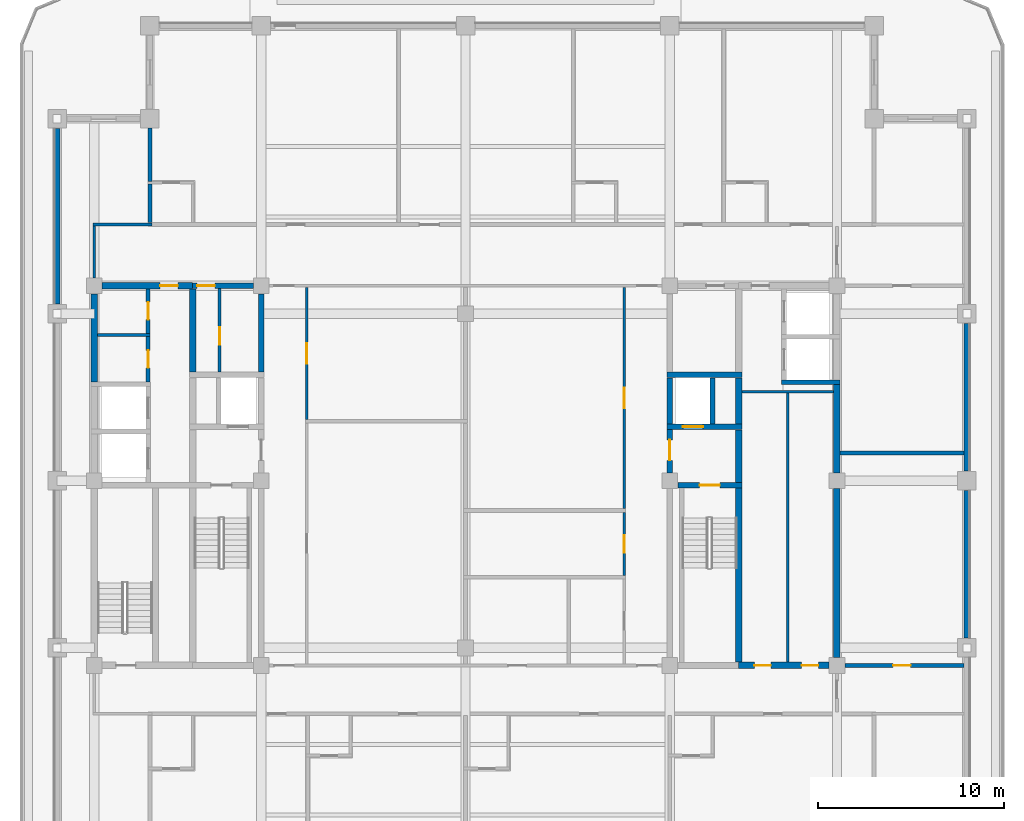
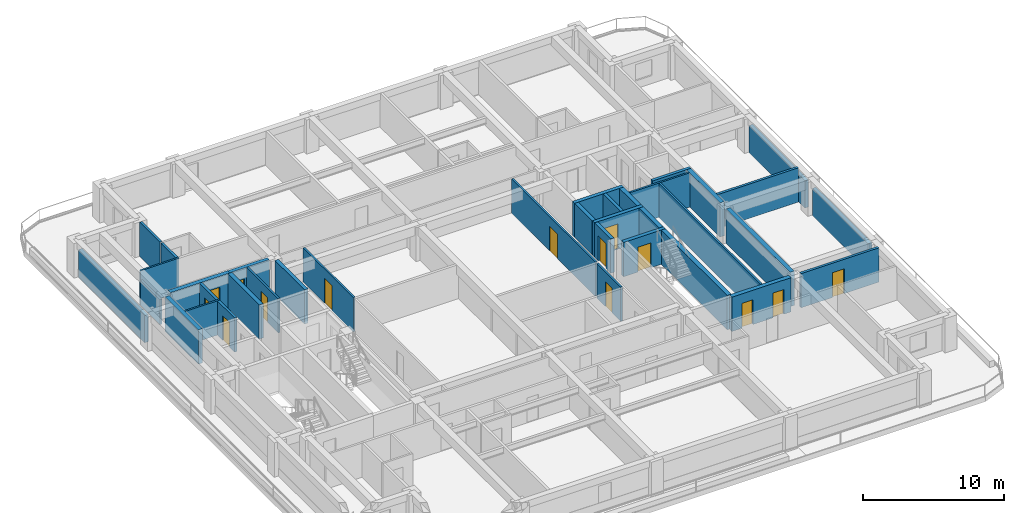
# One storey, part 4 of 13: 36 walls, 14 doors, 14 openings.
"""IFC4 building model written with IfcOpenShell, lengths in metres."""

from ifc_helpers import new_model, si_unit, direction, frame, frame_2d, origin, place, context, subcontext, project, spatial, rectangle, extrude, material, layer, layer_set, type_object, element, fill, save


model = new_model("IFC4")

# Units and contexts
model_context = context("Model", 3, precision=1e-05, world=origin(), true_north=direction((0.0, 1.0)))
body_context = subcontext(model_context, "Body", "Model", "MODEL_VIEW")
ifc_project = project(units=[si_unit("LENGTHUNIT", "METRE"), si_unit("AREAUNIT", "SQUARE_METRE"), si_unit("VOLUMEUNIT", "CUBIC_METRE"), si_unit("PLANEANGLEUNIT", "RADIAN"), si_unit("MASSUNIT", "GRAM", prefix="KILO")], contexts=[model_context])

# Site, building, storey
site_placement = place(None, origin())
site = spatial("IfcSite", under=ifc_project, at=site_placement, CompositionType="ELEMENT")
building_placement = place(site_placement, origin())
building = spatial("IfcBuilding", under=site, at=building_placement, Name="Zulmaris Gate Convention Tower", CompositionType="ELEMENT")
storey_placement = place(building_placement, frame((0.0, 0.0, 183.059814453125)))
storey = spatial("IfcBuildingStorey", under=building, at=storey_placement, Name="L47", CompositionType="ELEMENT", Elevation=183.059814453125)

# Walls
ifc_material_1 = material(Name="Concrete C50/60", Category="concrete")
ifc_layer_1 = layer(ifc_material_1, 0.25, Name="Concrete C50/60")
ifc_layer_set_1 = layer_set([ifc_layer_1], Name="Concrete C50/60")
wall_type_1 = type_object("IfcWallType", Name="CORE-250", PredefinedType="SOLIDWALL", material=ifc_layer_set_1)
wall_1_placement = place(storey_placement, frame((17.02490234375, 5.300048828125, 0.0), z_axis=(0.0, 0.0, 1.0), x_axis=(1.0, 0.0, 0.0)))
element("IfcWall", 1, at=wall_1_placement, inside=storey, type_object=wall_type_1, Name="WL-L47-011", PredefinedType="SOLIDWALL", context=body_context, shape_type="SweptSolid", body=[
    extrude(rectangle(XDim=3.150146484375, YDim=0.25, at=frame_2d((1.5751953125, 0.0))), origin(), (0.0, 0.0, 1.0), 2.97509765625),
])
wall_2_placement = place(storey_placement, frame((13.300048828125, 3.052001953125, 0.0), z_axis=(0.0, 0.0, 1.0), x_axis=(0.0, 1.0, 0.0)))
element("IfcWall", 2, at=wall_2_placement, inside=storey, type_object=wall_type_1, Name="WL-L47-064", PredefinedType="SOLIDWALL", context=body_context, shape_type="SweptSolid", body=[
    extrude(rectangle(XDim=2.49609375, YDim=0.25, at=frame_2d((1.248046875, 0.0))), origin(), (0.0, 0.0, 1.0), 2.97509765625),
])

# Wall, opening, door
ifc_layer_2 = layer(ifc_material_1, 0.300048828125, Name="Concrete C50/60")
ifc_layer_set_2 = layer_set([ifc_layer_2], Name="Concrete C50/60")
wall_type_2 = type_object("IfcWallType", Name="CORE-300", PredefinedType="SHEAR", material=ifc_layer_set_2)
wall_3_placement = place(storey_placement, frame((11.428955078125, -0.25, 0.0), z_axis=(0.0, 0.0, 1.0), x_axis=(1.0, 0.0, 0.0)))
wall_3 = element("IfcWall", 3, at=wall_3_placement, inside=storey, type_object=wall_type_2, Name="WL-L47-006", PredefinedType="SHEAR", context=body_context, shape_type="SweptSolid", body=[
    extrude(rectangle(XDim=3.446044921875, YDim=0.300048828125, at=frame_2d((1.72314453125, 0.0))), origin(), (0.0, 0.0, 1.0), 2.97509765625),
])
opening_1_placement = place(wall_3_placement, frame((1.1708984375, 0.0, 0.0)))
opening_1 = element("IfcOpeningElement", 4, at=opening_1_placement, cuts=wall_3, Name="Opening D-08", PredefinedType="OPENING", context=body_context, shape_type="SweptSolid", body=[
    extrude(rectangle(XDim=1.10009765625, YDim=2.14990234375, at=frame_2d((0.550048828125, 1.074951171875))), frame((0.0, 0.16015625, 0.0), z_axis=(0.0, -1.0, 0.0), x_axis=(1.0, 0.0, 0.0)), (0.0, 0.0, 1.0), 0.320068359375),
])
ifc_material_2 = material(Name="Fire-Rated Steel", Category="steel")
door_type_1 = type_object("IfcDoorType", Name="DR-1100-FD", OperationType="NOTDEFINED", PredefinedType="DOOR", material=ifc_material_2)
door_1_placement = place(opening_1_placement, origin())
door_1 = element("IfcDoor", 5, at=door_1_placement, inside=storey, type_object=door_type_1, Name="L47 Exit Stair ST-2 Door 04", OperationType="SINGLE_SWING_RIGHT", OverallHeight=2.14990234375, OverallWidth=1.10009765625, PredefinedType="DOOR", context=body_context, shape_type="SweptSolid", body=[
    extrude(rectangle(XDim=1.10009765625, YDim=2.14990234375, at=frame_2d((0.550048828125, 1.074951171875))), frame((0.0, 0.02490234375, 0.0), z_axis=(0.0, -1.0, 0.0), x_axis=(1.0, 0.0, 0.0)), (0.0, 0.0, 1.0), 0.050048828125),
])
fill(opening_1, door_1)

wall_4_placement = place(storey_placement, frame((10.85009765625, 2.89990234375, 0.0), z_axis=(0.0, 0.0, 1.0), x_axis=(1.0, 0.0, 0.0)))
wall_4 = element("IfcWall", 6, at=wall_4_placement, inside=storey, type_object=wall_type_2, Name="WL-L47-009", PredefinedType="SHEAR", context=body_context, shape_type="SweptSolid", body=[
    extrude(rectangle(XDim=4.02490234375, YDim=0.300048828125, at=frame_2d((2.012451171875, 0.0))), origin(), (0.0, 0.0, 1.0), 2.97509765625),
])
opening_2_placement = place(wall_4_placement, frame((0.85009765625, 0.0, 0.0)))
opening_2 = element("IfcOpeningElement", 7, at=opening_2_placement, cuts=wall_4, Name="Opening D-06", PredefinedType="OPENING", context=body_context, shape_type="SweptSolid", body=[
    extrude(rectangle(XDim=1.10009765625, YDim=2.199951171875, at=frame_2d((0.550048828125, 1.10009765625))), frame((0.0, 0.16015625, 0.0), z_axis=(0.0, -1.0, 0.0), x_axis=(1.0, 0.0, 0.0)), (0.0, 0.0, 1.0), 0.320068359375),
])
ifc_material_3 = material(Name="Brushed Stainless Steel", Category="steel")
door_type_2 = type_object("IfcDoorType", Name="LD-1100", OperationType="NOTDEFINED", PredefinedType="DOOR", material=ifc_material_3)
door_2_placement = place(opening_2_placement, origin())
door_2 = element("IfcDoor", 8, at=door_2_placement, inside=storey, type_object=door_type_2, Name="L47 Lift Landing Door LF-02 06", OperationType="SLIDING_TO_RIGHT", OverallHeight=2.199951171875, OverallWidth=1.10009765625, PredefinedType="DOOR", context=body_context, shape_type="SweptSolid", body=[
    extrude(rectangle(XDim=1.10009765625, YDim=2.199951171875, at=frame_2d((0.550048828125, 1.10009765625))), frame((0.0, 0.02490234375, 0.0), z_axis=(0.0, -1.0, 0.0), x_axis=(1.0, 0.0, 0.0)), (0.0, 0.0, 1.0), 0.050048828125),
])
fill(opening_2, door_2)

# Wall
wall_5_placement = place(storey_placement, frame((10.85009765625, 5.699951171875, 0.0), z_axis=(0.0, 0.0, 1.0), x_axis=(1.0, 0.0, 0.0)))
element("IfcWall", 9, at=wall_5_placement, inside=storey, type_object=wall_type_2, Name="WL-L47-013", PredefinedType="SHEAR", context=body_context, shape_type="SweptSolid", body=[
    extrude(rectangle(XDim=4.02490234375, YDim=0.300048828125, at=frame_2d((2.012451171875, 0.0))), origin(), (0.0, 0.0, 1.0), 2.97509765625),
])

# Wall, opening, door
wall_6_placement = place(storey_placement, frame((-14.699951171875, 10.5, 0.0), z_axis=(0.0, 0.0, 1.0), x_axis=(1.0, 0.0, 0.0)))
wall_6 = element("IfcWall", 10, at=wall_6_placement, inside=storey, type_object=wall_type_2, Name="WL-L47-016", PredefinedType="SHEAR", context=body_context, shape_type="SweptSolid", body=[
    extrude(rectangle(XDim=3.27099609375, YDim=0.300048828125, at=frame_2d((1.635498046875, 0.0))), origin(), (0.0, 0.0, 1.0), 2.97509765625),
])
opening_3_placement = place(wall_6_placement, frame((0.2451171875, 0.0, 0.0)))
opening_3 = element("IfcOpeningElement", 11, at=opening_3_placement, cuts=wall_6, Name="Opening D-25", PredefinedType="OPENING", context=body_context, shape_type="SweptSolid", body=[
    extrude(rectangle(XDim=0.949951171875, YDim=2.02001953125, at=frame_2d((0.47509765625, 1.010009765625))), frame((0.0, 0.16015625, 0.0), z_axis=(0.0, -1.0, 0.0), x_axis=(1.0, 0.0, 0.0)), (0.0, 0.0, 1.0), 0.320068359375),
])
door_type_3 = type_object("IfcDoorType", Name="DR-950-LOW-FD", OperationType="NOTDEFINED", PredefinedType="DOOR", material=ifc_material_2)
door_3_placement = place(opening_3_placement, origin())
door_3 = element("IfcDoor", 12, at=door_3_placement, inside=storey, type_object=door_type_3, Name="L47 Core Mail Room Door 07", OperationType="SINGLE_SWING_RIGHT", OverallHeight=2.02001953125, OverallWidth=0.949951171875, PredefinedType="DOOR", context=body_context, shape_type="SweptSolid", body=[
    extrude(rectangle(XDim=0.949951171875, YDim=2.02001953125, at=frame_2d((0.47509765625, 1.010009765625))), frame((0.0, 0.02490234375, 0.0), z_axis=(0.0, -1.0, 0.0), x_axis=(1.0, 0.0, 0.0)), (0.0, 0.0, 1.0), 0.050048828125),
])
fill(opening_3, door_3)

# Wall
wall_7_placement = place(storey_placement, frame((-11.0, 5.85205078125, 0.0), z_axis=(0.0, 0.0, 1.0), x_axis=(0.0, 1.0, 0.0)))
element("IfcWall", 13, at=wall_7_placement, inside=storey, type_object=wall_type_2, Name="WL-L47-058", PredefinedType="SHEAR", context=body_context, shape_type="SweptSolid", body=[
    extrude(rectangle(XDim=4.218994140625, YDim=0.300048828125, at=frame_2d((2.109375, 0.0))), origin(), (0.0, 0.0, 1.0), 2.97509765625),
])

# Wall, opening, door
wall_8_placement = place(storey_placement, frame((11.0, 0.428955078125, 0.0), z_axis=(0.0, 0.0, 1.0), x_axis=(0.0, 1.0, 0.0)))
wall_8 = element("IfcWall", 14, at=wall_8_placement, inside=storey, type_object=wall_type_2, Name="WL-L47-060", PredefinedType="SHEAR", context=body_context, shape_type="SweptSolid", body=[
    extrude(rectangle(XDim=2.319091796875, YDim=0.300048828125, at=frame_2d((1.15966796875, 0.0))), origin(), (0.0, 0.0, 1.0), 2.97509765625),
])
opening_4_placement = place(wall_8_placement, frame((0.6708984375, 0.0, 0.0)))
opening_4 = element("IfcOpeningElement", 15, at=opening_4_placement, cuts=wall_8, Name="Opening D-08", PredefinedType="OPENING", context=body_context, shape_type="SweptSolid", body=[
    extrude(rectangle(XDim=1.10009765625, YDim=2.14990234375, at=frame_2d((0.550048828125, 1.074951171875))), frame((0.0, 0.16015625, 0.0), z_axis=(0.0, -1.0, 0.0), x_axis=(1.0, 0.0, 0.0)), (0.0, 0.0, 1.0), 0.320068359375),
])
door_4_placement = place(opening_4_placement, origin())
door_4 = element("IfcDoor", 16, at=door_4_placement, inside=storey, type_object=door_type_1, Name="L47 East Firefighting Lobby Door 05", OperationType="SINGLE_SWING_LEFT", OverallHeight=2.14990234375, OverallWidth=1.10009765625, PredefinedType="DOOR", context=body_context, shape_type="SweptSolid", body=[
    extrude(rectangle(XDim=1.10009765625, YDim=2.14990234375, at=frame_2d((0.550048828125, 1.074951171875))), frame((0.0, 0.02490234375, 0.0), z_axis=(0.0, -1.0, 0.0), x_axis=(1.0, 0.0, 0.0)), (0.0, 0.0, 1.0), 0.050048828125),
])
fill(opening_4, door_4)

# Wall
wall_9_placement = place(storey_placement, frame((11.0, 3.052001953125, 0.0), z_axis=(0.0, 0.0, 1.0), x_axis=(0.0, 1.0, 0.0)))
element("IfcWall", 17, at=wall_9_placement, inside=storey, type_object=wall_type_2, Name="WL-L47-061", PredefinedType="SHEAR", context=body_context, shape_type="SweptSolid", body=[
    extrude(rectangle(XDim=2.49609375, YDim=0.300048828125, at=frame_2d((1.248046875, 0.0))), origin(), (0.0, 0.0, 1.0), 2.97509765625),
])

# Wall, openings, doors
ifc_material_4 = material(Name="Concrete C55/67", Category="concrete")
ifc_layer_3 = layer(ifc_material_4, 0.35009765625, Name="Concrete C55/67")
ifc_layer_set_3 = layer_set([ifc_layer_3], Name="Concrete C55/67")
wall_type_3 = type_object("IfcWallType", Name="CORE-350", PredefinedType="SHEAR", material=ifc_layer_set_3)
wall_10_placement = place(storey_placement, frame((14.699951171875, -9.949951171875, 0.0), z_axis=(0.0, 0.0, 1.0), x_axis=(1.0, 0.0, 0.0)))
wall_10 = element("IfcWall", 18, at=wall_10_placement, inside=storey, type_object=wall_type_3, Name="WL-L47-004", PredefinedType="SHEAR", context=body_context, shape_type="SweptSolid", body=[
    extrude(rectangle(XDim=4.87109375, YDim=0.35009765625, at=frame_2d((2.435546875, 0.0))), origin(), (0.0, 0.0, 1.0), 2.97509765625),
])
opening_5_placement = place(wall_10_placement, frame((0.85009765625, 0.0, 0.0)))
opening_5 = element("IfcOpeningElement", 19, at=opening_5_placement, cuts=wall_10, Name="Opening D-12", PredefinedType="OPENING", context=body_context, shape_type="SweptSolid", body=[
    extrude(rectangle(XDim=0.89990234375, YDim=2.14990234375, at=frame_2d((0.449951171875, 1.074951171875))), frame((0.0, 0.18505859375, 0.0), z_axis=(0.0, -1.0, 0.0), x_axis=(1.0, 0.0, 0.0)), (0.0, 0.0, 1.0), 0.3701171875),
])
opening_6_placement = place(wall_10_placement, frame((3.39990234375, 0.0, 0.0)))
opening_6 = element("IfcOpeningElement", 20, at=opening_6_placement, cuts=wall_10, Name="Opening D-12", PredefinedType="OPENING", context=body_context, shape_type="SweptSolid", body=[
    extrude(rectangle(XDim=0.89990234375, YDim=2.14990234375, at=frame_2d((0.449951171875, 1.074951171875))), frame((0.0, 0.18505859375, 0.0), z_axis=(0.0, -1.0, 0.0), x_axis=(1.0, 0.0, 0.0)), (0.0, 0.0, 1.0), 0.3701171875),
])
ifc_material_5 = material(Name="Fire-Rated Timber", Category="wood")
door_type_4 = type_object("IfcDoorType", Name="DR-900-FD", OperationType="NOTDEFINED", PredefinedType="DOOR", material=ifc_material_5)
door_5_placement = place(opening_5_placement, origin())
door_5 = element("IfcDoor", 21, at=door_5_placement, inside=storey, type_object=door_type_4, Name="L47 Service Pantry Door 19", OperationType="SINGLE_SWING_RIGHT", OverallHeight=2.14990234375, OverallWidth=0.89990234375, PredefinedType="DOOR", context=body_context, shape_type="SweptSolid", body=[
    extrude(rectangle(XDim=0.89990234375, YDim=2.14990234375, at=frame_2d((0.449951171875, 1.074951171875))), frame((0.0, 0.02490234375, 0.0), z_axis=(0.0, -1.0, 0.0), x_axis=(1.0, 0.0, 0.0)), (0.0, 0.0, 1.0), 0.050048828125),
])
fill(opening_5, door_5)
door_6_placement = place(opening_6_placement, origin())
door_6 = element("IfcDoor", 22, at=door_6_placement, inside=storey, type_object=door_type_4, Name="L47 Linen Store Door 20", OperationType="SINGLE_SWING_LEFT", OverallHeight=2.14990234375, OverallWidth=0.89990234375, PredefinedType="DOOR", context=body_context, shape_type="SweptSolid", body=[
    extrude(rectangle(XDim=0.89990234375, YDim=2.14990234375, at=frame_2d((0.449951171875, 1.074951171875))), frame((0.0, 0.02490234375, 0.0), z_axis=(0.0, -1.0, 0.0), x_axis=(1.0, 0.0, 0.0)), (0.0, 0.0, 1.0), 0.050048828125),
])
fill(opening_6, door_6)

# Wall, opening, door
wall_11_placement = place(storey_placement, frame((-19.571044921875, 10.5, 0.0), z_axis=(0.0, 0.0, 1.0), x_axis=(1.0, 0.0, 0.0)))
wall_11 = element("IfcWall", 23, at=wall_11_placement, inside=storey, type_object=wall_type_3, Name="WL-L47-015", PredefinedType="SHEAR", context=body_context, shape_type="SweptSolid", body=[
    extrude(rectangle(XDim=4.87109375, YDim=0.35009765625, at=frame_2d((2.435546875, 0.0))), origin(), (0.0, 0.0, 1.0), 2.97509765625),
])
opening_7_placement = place(wall_11_placement, frame((3.12109375, 0.0, 0.0)))
opening_7 = element("IfcOpeningElement", 24, at=opening_7_placement, cuts=wall_11, Name="Opening D-25", PredefinedType="OPENING", context=body_context, shape_type="SweptSolid", body=[
    extrude(rectangle(XDim=0.949951171875, YDim=2.02001953125, at=frame_2d((0.47509765625, 1.010009765625))), frame((0.0, 0.18505859375, 0.0), z_axis=(0.0, -1.0, 0.0), x_axis=(1.0, 0.0, 0.0)), (0.0, 0.0, 1.0), 0.3701171875),
])
door_7_placement = place(opening_7_placement, origin())
door_7 = element("IfcDoor", 25, at=door_7_placement, inside=storey, type_object=door_type_3, Name="L47 High-Rise West Lift Lobby Door 13", OperationType="SINGLE_SWING_RIGHT", OverallHeight=2.02001953125, OverallWidth=0.949951171875, PredefinedType="DOOR", context=body_context, shape_type="SweptSolid", body=[
    extrude(rectangle(XDim=0.949951171875, YDim=2.02001953125, at=frame_2d((0.47509765625, 1.010009765625))), frame((0.0, 0.02490234375, 0.0), z_axis=(0.0, -1.0, 0.0), x_axis=(1.0, 0.0, 0.0)), (0.0, 0.0, 1.0), 0.050048828125),
])
fill(opening_7, door_7)

# Walls
wall_12_placement = place(storey_placement, frame((-20.0, 5.326904296875, 0.0), z_axis=(0.0, 0.0, 1.0), x_axis=(0.0, 1.0, 0.0)))
element("IfcWall", 26, at=wall_12_placement, inside=storey, type_object=wall_type_3, Name="WL-L47-045", PredefinedType="SHEAR", context=body_context, shape_type="SweptSolid", body=[
    extrude(rectangle(XDim=4.744140625, YDim=0.35009765625, at=frame_2d((2.3720703125, 0.0))), origin(), (0.0, 0.0, 1.0), 2.97509765625),
])
wall_13_placement = place(storey_placement, frame((-14.699951171875, 5.85205078125, 0.0), z_axis=(0.0, 0.0, 1.0), x_axis=(0.0, 1.0, 0.0)))
element("IfcWall", 27, at=wall_13_placement, inside=storey, type_object=wall_type_3, Name="WL-L47-052", PredefinedType="SHEAR", context=body_context, shape_type="SweptSolid", body=[
    extrude(rectangle(XDim=4.470947265625, YDim=0.35009765625, at=frame_2d((2.2353515625, 0.0))), origin(), (0.0, 0.0, 1.0), 2.97509765625),
])
wall_14_placement = place(storey_placement, frame((14.699951171875, -9.77294921875, 0.0), z_axis=(0.0, 0.0, 1.0), x_axis=(0.0, 1.0, 0.0)))
element("IfcWall", 28, at=wall_14_placement, inside=storey, type_object=wall_type_3, Name="WL-L47-065", PredefinedType="SHEAR", context=body_context, shape_type="SweptSolid", body=[
    extrude(rectangle(XDim=9.370849609375, YDim=0.35009765625, at=frame_2d((4.685546875, 0.0))), origin(), (0.0, 0.0, 1.0), 2.97509765625),
])
wall_15_placement = place(storey_placement, frame((14.699951171875, -0.097900390625, 0.0), z_axis=(0.0, 0.0, 1.0), x_axis=(0.0, 1.0, 0.0)))
element("IfcWall", 29, at=wall_15_placement, inside=storey, type_object=wall_type_3, Name="WL-L47-066", PredefinedType="SHEAR", context=body_context, shape_type="SweptSolid", body=[
    extrude(rectangle(XDim=2.845947265625, YDim=0.35009765625, at=frame_2d((1.4228515625, 0.0))), origin(), (0.0, 0.0, 1.0), 2.97509765625),
])
wall_16_placement = place(storey_placement, frame((14.699951171875, 3.052001953125, 0.0), z_axis=(0.0, 0.0, 1.0), x_axis=(0.0, 1.0, 0.0)))
element("IfcWall", 30, at=wall_16_placement, inside=storey, type_object=wall_type_3, Name="WL-L47-067", PredefinedType="SHEAR", context=body_context, shape_type="SweptSolid", body=[
    extrude(rectangle(XDim=2.49609375, YDim=0.35009765625, at=frame_2d((1.248046875, 0.0))), origin(), (0.0, 0.0, 1.0), 2.97509765625),
])
wall_17_placement = place(storey_placement, frame((20.0, -9.52099609375, 0.0), z_axis=(0.0, 0.0, 1.0), x_axis=(0.0, 1.0, 0.0)))
element("IfcWall", 31, at=wall_17_placement, inside=storey, type_object=wall_type_3, Name="WL-L47-071", PredefinedType="SHEAR", context=body_context, shape_type="SweptSolid", body=[
    extrude(rectangle(XDim=9.092041015625, YDim=0.35009765625, at=frame_2d((4.5458984375, 0.0))), origin(), (0.0, 0.0, 1.0), 2.97509765625),
])
wall_18_placement = place(storey_placement, frame((20.0, 0.428955078125, 0.0), z_axis=(0.0, 0.0, 1.0), x_axis=(0.0, 1.0, 0.0)))
element("IfcWall", 32, at=wall_18_placement, inside=storey, type_object=wall_type_3, Name="WL-L47-071S1", PredefinedType="SHEAR", context=body_context, shape_type="SweptSolid", body=[
    extrude(rectangle(XDim=4.744140625, YDim=0.35009765625, at=frame_2d((2.3720703125, 0.0))), origin(), (0.0, 0.0, 1.0), 2.97509765625),
])
ifc_material_6 = material(Name="Gypsum Metal Stud Partition")
ifc_layer_4 = layer(ifc_material_6, 0.14990234375, Name="Gypsum Metal Stud Partition")
ifc_layer_set_4 = layer_set([ifc_layer_4], Name="Gypsum Metal Stud Partition")
wall_type_4 = type_object("IfcWallType", Name="PART-150", PredefinedType="PARTITIONING", material=ifc_layer_set_4)
wall_19_placement = place(storey_placement, frame((14.8779296875, 4.800048828125, 0.0), z_axis=(0.0, 0.0, 1.0), x_axis=(1.0, 0.0, 0.0)))
element("IfcWall", 33, at=wall_19_placement, inside=storey, type_object=wall_type_4, Name="WL-L47-032", PredefinedType="PARTITIONING", context=body_context, shape_type="SweptSolid", body=[
    extrude(rectangle(XDim=4.944091796875, YDim=0.14990234375, at=frame_2d((2.47216796875, 0.0))), origin(), (0.0, 0.0, 1.0), 2.97509765625),
])
wall_20_placement = place(storey_placement, frame((-19.822021484375, 7.85009765625, 0.0), z_axis=(0.0, 0.0, 1.0), x_axis=(1.0, 0.0, 0.0)))
element("IfcWall", 34, at=wall_20_placement, inside=storey, type_object=wall_type_4, Name="WL-L47-033", PredefinedType="PARTITIONING", context=body_context, shape_type="SweptSolid", body=[
    extrude(rectangle(XDim=2.822021484375, YDim=0.14990234375, at=frame_2d((1.4111328125, 0.0))), origin(), (0.0, 0.0, 1.0), 2.97509765625),
])
wall_21_placement = place(storey_placement, frame((-20.074951171875, 13.800048828125, 0.0), z_axis=(0.0, 0.0, 1.0), x_axis=(1.0, 0.0, 0.0)))
element("IfcWall", 35, at=wall_21_placement, inside=storey, type_object=wall_type_4, Name="WL-L47-036", PredefinedType="PARTITIONING", context=body_context, shape_type="SweptSolid", body=[
    extrude(rectangle(XDim=3.175048828125, YDim=0.14990234375, at=frame_2d((1.58740234375, 0.0))), origin(), (0.0, 0.0, 1.0), 2.97509765625),
])
wall_22_placement = place(storey_placement, frame((-20.0, 10.930908203125, 0.0), z_axis=(0.0, 0.0, 1.0), x_axis=(0.0, 1.0, 0.0)))
element("IfcWall", 36, at=wall_22_placement, inside=storey, type_object=wall_type_4, Name="WL-L47-075", PredefinedType="PARTITIONING", context=body_context, shape_type="SweptSolid", body=[
    extrude(rectangle(XDim=2.791015625, YDim=0.14990234375, at=frame_2d((1.3955078125, 0.0))), origin(), (0.0, 0.0, 1.0), 2.167236328125),
])

# Wall, opening, door
wall_23_placement = place(storey_placement, frame((-13.25, 5.85302734375, 0.0), z_axis=(0.0, 0.0, 1.0), x_axis=(0.0, 1.0, 0.0)))
wall_23 = element("IfcWall", 37, at=wall_23_placement, inside=storey, type_object=wall_type_4, Name="WL-L47-084", PredefinedType="PARTITIONING", context=body_context, shape_type="SweptSolid", body=[
    extrude(rectangle(XDim=4.493896484375, YDim=0.14990234375, at=frame_2d((2.2470703125, 0.0))), origin(), (0.0, 0.0, 1.0), 2.97509765625),
])
opening_8_placement = place(wall_23_placement, frame((1.471923828125, 0.0, 0.0)))
opening_8 = element("IfcOpeningElement", 38, at=opening_8_placement, cuts=wall_23, Name="Opening D-11", PredefinedType="OPENING", context=body_context, shape_type="SweptSolid", body=[
    extrude(rectangle(XDim=0.949951171875, YDim=2.14990234375, at=frame_2d((0.47509765625, 1.074951171875))), frame((0.0, 0.0849609375, 0.0), z_axis=(0.0, -1.0, 0.0), x_axis=(1.0, 0.0, 0.0)), (0.0, 0.0, 1.0), 0.169921875),
])
door_type_5 = type_object("IfcDoorType", Name="DR-950-FD", OperationType="NOTDEFINED", PredefinedType="DOOR", material=ifc_material_5)
door_8_placement = place(opening_8_placement, origin())
door_8 = element("IfcDoor", 39, at=door_8_placement, inside=storey, type_object=door_type_5, Name="L47 Core Janitor Door 08", OperationType="SINGLE_SWING_LEFT", OverallHeight=2.14990234375, OverallWidth=0.949951171875, PredefinedType="DOOR", context=body_context, shape_type="SweptSolid", body=[
    extrude(rectangle(XDim=0.949951171875, YDim=2.14990234375, at=frame_2d((0.47509765625, 1.074951171875))), frame((0.0, 0.02490234375, 0.0), z_axis=(0.0, -1.0, 0.0), x_axis=(1.0, 0.0, 0.0)), (0.0, 0.0, 1.0), 0.050048828125),
])
fill(opening_8, door_8)

wall_24_placement = place(storey_placement, frame((-8.550048828125, 3.302978515625, 0.0), z_axis=(0.0, 0.0, 1.0), x_axis=(0.0, 1.0, 0.0)))
wall_24 = element("IfcWall", 40, at=wall_24_placement, inside=storey, type_object=wall_type_4, Name="WL-L47-086", PredefinedType="PARTITIONING", context=body_context, shape_type="SweptSolid", body=[
    extrude(rectangle(XDim=7.119140625, YDim=0.14990234375, at=frame_2d((3.5595703125, 0.0))), origin(), (0.0, 0.0, 1.0), 2.97509765625),
])
opening_9_placement = place(wall_24_placement, frame((2.9970703125, 0.0, 0.0)))
opening_9 = element("IfcOpeningElement", 41, at=opening_9_placement, cuts=wall_24, Name="Opening D-08", PredefinedType="OPENING", context=body_context, shape_type="SweptSolid", body=[
    extrude(rectangle(XDim=1.10009765625, YDim=2.14990234375, at=frame_2d((0.550048828125, 1.074951171875))), frame((0.0, 0.0849609375, 0.0), z_axis=(0.0, -1.0, 0.0), x_axis=(1.0, 0.0, 0.0)), (0.0, 0.0, 1.0), 0.169921875),
])
door_9_placement = place(opening_9_placement, origin())
door_9 = element("IfcDoor", 42, at=door_9_placement, inside=storey, type_object=door_type_1, Name="L47 Club Lounge Door 40", OperationType="SINGLE_SWING_LEFT", OverallHeight=2.14990234375, OverallWidth=1.10009765625, PredefinedType="DOOR", context=body_context, shape_type="SweptSolid", body=[
    extrude(rectangle(XDim=1.10009765625, YDim=2.14990234375, at=frame_2d((0.550048828125, 1.074951171875))), frame((0.0, 0.02490234375, 0.0), z_axis=(0.0, -1.0, 0.0), x_axis=(1.0, 0.0, 0.0)), (0.0, 0.0, 1.0), 0.050048828125),
])
fill(opening_9, door_9)

wall_25_placement = place(storey_placement, frame((8.550048828125, -5.096923828125, 0.0), z_axis=(0.0, 0.0, 1.0), x_axis=(0.0, 1.0, 0.0)))
wall_25 = element("IfcWall", 43, at=wall_25_placement, inside=storey, type_object=wall_type_4, Name="WL-L47-103", PredefinedType="PARTITIONING", context=body_context, shape_type="SweptSolid", body=[
    extrude(rectangle(XDim=3.39404296875, YDim=0.14990234375, at=frame_2d((1.697021484375, 0.0))), origin(), (0.0, 0.0, 1.0), 2.97509765625),
])
opening_10_placement = place(wall_25_placement, frame((1.221923828125, 0.0, 0.0)))
opening_10 = element("IfcOpeningElement", 44, at=opening_10_placement, cuts=wall_25, Name="Opening D-11", PredefinedType="OPENING", context=body_context, shape_type="SweptSolid", body=[
    extrude(rectangle(XDim=0.949951171875, YDim=2.14990234375, at=frame_2d((0.47509765625, 1.074951171875))), frame((0.0, 0.0849609375, 0.0), z_axis=(0.0, -1.0, 0.0), x_axis=(1.0, 0.0, 0.0)), (0.0, 0.0, 1.0), 0.169921875),
])
door_10_placement = place(opening_10_placement, origin())
door_10 = element("IfcDoor", 45, at=door_10_placement, inside=storey, type_object=door_type_5, Name="L47 Public WC Door 43", OperationType="SINGLE_SWING_RIGHT", OverallHeight=2.14990234375, OverallWidth=0.949951171875, PredefinedType="DOOR", context=body_context, shape_type="SweptSolid", body=[
    extrude(rectangle(XDim=0.949951171875, YDim=2.14990234375, at=frame_2d((0.47509765625, 1.074951171875))), frame((0.0, 0.02490234375, 0.0), z_axis=(0.0, -1.0, 0.0), x_axis=(1.0, 0.0, 0.0)), (0.0, 0.0, 1.0), 0.050048828125),
])
fill(opening_10, door_10)

wall_26_placement = place(storey_placement, frame((8.550048828125, -1.4970703125, 0.0), z_axis=(0.0, 0.0, 1.0), x_axis=(0.0, 1.0, 0.0)))
wall_26 = element("IfcWall", 46, at=wall_26_placement, inside=storey, type_object=wall_type_4, Name="WL-L47-104", PredefinedType="PARTITIONING", context=body_context, shape_type="SweptSolid", body=[
    extrude(rectangle(XDim=11.919189453125, YDim=0.14990234375, at=frame_2d((5.95947265625, 0.0))), origin(), (0.0, 0.0, 1.0), 2.97509765625),
])
opening_11_placement = place(wall_26_placement, frame((5.39697265625, 0.0, 0.0)))
opening_11 = element("IfcOpeningElement", 47, at=opening_11_placement, cuts=wall_26, Name="Opening D-08", PredefinedType="OPENING", context=body_context, shape_type="SweptSolid", body=[
    extrude(rectangle(XDim=1.10009765625, YDim=2.14990234375, at=frame_2d((0.550048828125, 1.074951171875))), frame((0.0, 0.0849609375, 0.0), z_axis=(0.0, -1.0, 0.0), x_axis=(1.0, 0.0, 0.0)), (0.0, 0.0, 1.0), 0.169921875),
])
door_11_placement = place(opening_11_placement, origin())
door_11 = element("IfcDoor", 48, at=door_11_placement, inside=storey, type_object=door_type_1, Name="L47 Breakout Room Door 42", OperationType="SINGLE_SWING_LEFT", OverallHeight=2.14990234375, OverallWidth=1.10009765625, PredefinedType="DOOR", context=body_context, shape_type="SweptSolid", body=[
    extrude(rectangle(XDim=1.10009765625, YDim=2.14990234375, at=frame_2d((0.550048828125, 1.074951171875))), frame((0.0, 0.02490234375, 0.0), z_axis=(0.0, -1.0, 0.0), x_axis=(1.0, 0.0, 0.0)), (0.0, 0.0, 1.0), 0.050048828125),
])
fill(opening_11, door_11)

# Wall
wall_27_placement = place(storey_placement, frame((17.35009765625, -9.77197265625, 0.0), z_axis=(0.0, 0.0, 1.0), x_axis=(0.0, 1.0, 0.0)))
element("IfcWall", 49, at=wall_27_placement, inside=storey, type_object=wall_type_4, Name="WL-L47-111", PredefinedType="PARTITIONING", context=body_context, shape_type="SweptSolid", body=[
    extrude(rectangle(XDim=14.493896484375, YDim=0.14990234375, at=frame_2d((7.2470703125, 0.0))), origin(), (0.0, 0.0, 1.0), 2.97509765625),
])

# Wall, opening, door
ifc_material_7 = material(Name="Autoclaved Aerated Concrete Block and Plasterboard", Category="concrete")
ifc_layer_5 = layer(ifc_material_7, 0.199951171875, Name="Autoclaved Aerated Concrete Block and Plasterboard")
ifc_layer_set_5 = layer_set([ifc_layer_5], Name="Autoclaved Aerated Concrete Block and Plasterboard")
wall_type_5 = type_object("IfcWallType", Name="PART-200", PredefinedType="PARTITIONING", material=ifc_layer_set_5)
wall_28_placement = place(storey_placement, frame((20.430908203125, -9.949951171875, 0.0), z_axis=(0.0, 0.0, 1.0), x_axis=(1.0, 0.0, 0.0)))
wall_28 = element("IfcWall", 50, at=wall_28_placement, inside=storey, type_object=wall_type_5, Name="WL-L47-027", PredefinedType="PARTITIONING", context=body_context, shape_type="SweptSolid", body=[
    extrude(rectangle(XDim=6.404052734375, YDim=0.199951171875, at=frame_2d((3.2021484375, 0.0))), origin(), (0.0, 0.0, 1.0), 2.97509765625),
])
opening_12_placement = place(wall_28_placement, frame((2.593994140625, 0.0, 0.0)))
opening_12 = element("IfcOpeningElement", 51, at=opening_12_placement, cuts=wall_28, Name="Opening D-11", PredefinedType="OPENING", context=body_context, shape_type="SweptSolid", body=[
    extrude(rectangle(XDim=0.949951171875, YDim=2.14990234375, at=frame_2d((0.47509765625, 1.074951171875))), frame((0.0, 0.10986328125, 0.0), z_axis=(0.0, -1.0, 0.0), x_axis=(1.0, 0.0, 0.0)), (0.0, 0.0, 1.0), 0.219970703125),
])
door_12_placement = place(opening_12_placement, origin())
door_12 = element("IfcDoor", 52, at=door_12_placement, inside=storey, type_object=door_type_5, Name="L47 East Study Door 49", OperationType="SINGLE_SWING_RIGHT", OverallHeight=2.14990234375, OverallWidth=0.949951171875, PredefinedType="DOOR", context=body_context, shape_type="SweptSolid", body=[
    extrude(rectangle(XDim=0.949951171875, YDim=2.14990234375, at=frame_2d((0.47509765625, 1.074951171875))), frame((0.0, 0.02490234375, 0.0), z_axis=(0.0, -1.0, 0.0), x_axis=(1.0, 0.0, 0.0)), (0.0, 0.0, 1.0), 0.050048828125),
])
fill(opening_12, door_12)

# Wall
wall_29_placement = place(storey_placement, frame((20.177978515625, 1.5, 0.0), z_axis=(0.0, 0.0, 1.0), x_axis=(1.0, 0.0, 0.0)))
element("IfcWall", 53, at=wall_29_placement, inside=storey, type_object=wall_type_5, Name="WL-L47-030", PredefinedType="PARTITIONING", context=body_context, shape_type="SweptSolid", body=[
    extrude(rectangle(XDim=6.656982421875, YDim=0.199951171875, at=frame_2d((3.32861328125, 0.0))), origin(), (0.0, 0.0, 1.0), 2.97509765625),
])

# Wall, opening, door
wall_30_placement = place(storey_placement, frame((-17.10009765625, 5.327880859375, 0.0), z_axis=(0.0, 0.0, 1.0), x_axis=(0.0, 1.0, 0.0)))
wall_30 = element("IfcWall", 54, at=wall_30_placement, inside=storey, type_object=wall_type_5, Name="WL-L47-076", PredefinedType="PARTITIONING", context=body_context, shape_type="SweptSolid", body=[
    extrude(rectangle(XDim=2.444091796875, YDim=0.199951171875, at=frame_2d((1.22216796875, 0.0))), origin(), (0.0, 0.0, 1.0), 2.97509765625),
])
opening_13_placement = place(wall_30_placement, frame((0.7470703125, 0.0, 0.0)))
opening_13 = element("IfcOpeningElement", 55, at=opening_13_placement, cuts=wall_30, Name="Opening D-11", PredefinedType="OPENING", context=body_context, shape_type="SweptSolid", body=[
    extrude(rectangle(XDim=0.949951171875, YDim=2.14990234375, at=frame_2d((0.47509765625, 1.074951171875))), frame((0.0, 0.10986328125, 0.0), z_axis=(0.0, -1.0, 0.0), x_axis=(1.0, 0.0, 0.0)), (0.0, 0.0, 1.0), 0.219970703125),
])
door_13_placement = place(opening_13_placement, origin())
door_13 = element("IfcDoor", 56, at=door_13_placement, inside=storey, type_object=door_type_5, Name="L47 Valet Closet Door 15", OperationType="SINGLE_SWING_RIGHT", OverallHeight=2.14990234375, OverallWidth=0.949951171875, PredefinedType="DOOR", context=body_context, shape_type="SweptSolid", body=[
    extrude(rectangle(XDim=0.949951171875, YDim=2.14990234375, at=frame_2d((0.47509765625, 1.074951171875))), frame((0.0, 0.02490234375, 0.0), z_axis=(0.0, -1.0, 0.0), x_axis=(1.0, 0.0, 0.0)), (0.0, 0.0, 1.0), 0.050048828125),
])
fill(opening_13, door_13)

wall_31_placement = place(storey_placement, frame((-17.10009765625, 7.927978515625, 0.0), z_axis=(0.0, 0.0, 1.0), x_axis=(0.0, 1.0, 0.0)))
wall_31 = element("IfcWall", 57, at=wall_31_placement, inside=storey, type_object=wall_type_5, Name="WL-L47-077", PredefinedType="PARTITIONING", context=body_context, shape_type="SweptSolid", body=[
    extrude(rectangle(XDim=2.39404296875, YDim=0.199951171875, at=frame_2d((1.197021484375, 0.0))), origin(), (0.0, 0.0, 1.0), 2.97509765625),
])
opening_14_placement = place(wall_31_placement, frame((0.7470703125, 0.0, 0.0)))
opening_14 = element("IfcOpeningElement", 58, at=opening_14_placement, cuts=wall_31, Name="Opening D-11", PredefinedType="OPENING", context=body_context, shape_type="SweptSolid", body=[
    extrude(rectangle(XDim=0.949951171875, YDim=2.14990234375, at=frame_2d((0.47509765625, 1.074951171875))), frame((0.0, 0.10986328125, 0.0), z_axis=(0.0, -1.0, 0.0), x_axis=(1.0, 0.0, 0.0)), (0.0, 0.0, 1.0), 0.219970703125),
])
door_14_placement = place(opening_14_placement, origin())
door_14 = element("IfcDoor", 59, at=door_14_placement, inside=storey, type_object=door_type_5, Name="L47 Housekeeping Door 14", OperationType="SINGLE_SWING_LEFT", OverallHeight=2.14990234375, OverallWidth=0.949951171875, PredefinedType="DOOR", context=body_context, shape_type="SweptSolid", body=[
    extrude(rectangle(XDim=0.949951171875, YDim=2.14990234375, at=frame_2d((0.47509765625, 1.074951171875))), frame((0.0, 0.02490234375, 0.0), z_axis=(0.0, -1.0, 0.0), x_axis=(1.0, 0.0, 0.0)), (0.0, 0.0, 1.0), 0.050048828125),
])
fill(opening_14, door_14)

# Walls
wall_32_placement = place(storey_placement, frame((-17.0, 13.903076171875, 0.0), z_axis=(0.0, 0.0, 1.0), x_axis=(0.0, 1.0, 0.0)))
element("IfcWall", 60, at=wall_32_placement, inside=storey, type_object=wall_type_5, Name="WL-L47-080", PredefinedType="PARTITIONING", context=body_context, shape_type="SweptSolid", body=[
    extrude(rectangle(XDim=2.06884765625, YDim=0.199951171875, at=frame_2d((1.034423828125, 0.0))), origin(), (0.0, 0.0, 1.0), 2.97509765625),
])
wall_33_placement = place(storey_placement, frame((-17.0, 16.1279296875, 0.0), z_axis=(0.0, 0.0, 1.0), x_axis=(0.0, 1.0, 0.0)))
element("IfcWall", 61, at=wall_33_placement, inside=storey, type_object=wall_type_5, Name="WL-L47-081", PredefinedType="PARTITIONING", context=body_context, shape_type="SweptSolid", body=[
    extrude(rectangle(XDim=2.865966796875, YDim=0.199951171875, at=frame_2d((1.43310546875, 0.0))), origin(), (0.0, 0.0, 1.0), 2.97509765625),
])
ifc_material_8 = material(Name="Precast concrete C40/50", Category="concrete")
ifc_layer_6 = layer(ifc_material_8, 0.300048828125, Name="Precast concrete C40/50")
ifc_layer_set_6 = layer_set([ifc_layer_6], Name="Precast concrete C40/50")
wall_type_6 = type_object("IfcWallType", Name="PRECAST-PIER-300", PredefinedType="STANDARD", material=ifc_layer_set_6)
for number, where, z_axis, x_axis, name in (
    (62, (27.0, -8.469970703125, 0.0), (0.0, 0.0, 1.0), (0.0, 1.0, 0.0), "EW-L47-E-1_0"),
    (63, (27.0, 0.530029296875, 0.0), (0.0, 0.0, 1.0), (0.0, 1.0, 0.0), "EW-L47-E-2_0"),
):
    element("IfcWall", number, at=place(storey_placement, frame(where, z_axis=z_axis, x_axis=x_axis)), inside=storey, type_object=wall_type_6, Name=name, PredefinedType="STANDARD", context=body_context, shape_type="SweptSolid", body=[
        extrude(rectangle(XDim=7.93994140625, YDim=0.300048828125, at=frame_2d((3.969970703125, 0.0))), origin(), (0.0, 0.0, 1.0), 2.3671875),
    ])
wall_34_placement = place(storey_placement, frame((-22.0, 18.969970703125, 0.0), z_axis=(0.0, 0.0, 1.0), x_axis=(0.0, -1.0, 0.0)))
element("IfcWall", 64, at=wall_34_placement, inside=storey, type_object=wall_type_6, Name="EW-L47-W-3_0", PredefinedType="STANDARD", context=body_context, shape_type="SweptSolid", body=[
    extrude(rectangle(XDim=9.43994140625, YDim=0.300048828125, at=frame_2d((4.719970703125, 0.0))), origin(), (0.0, 0.0, 1.0), 2.3671875),
])

save(model, "model.ifc")
